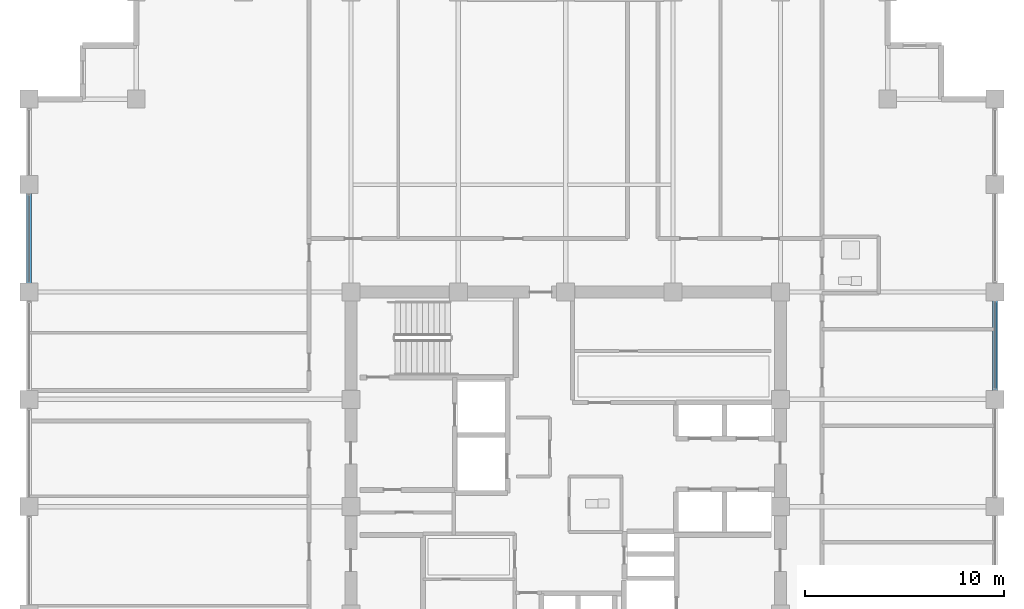
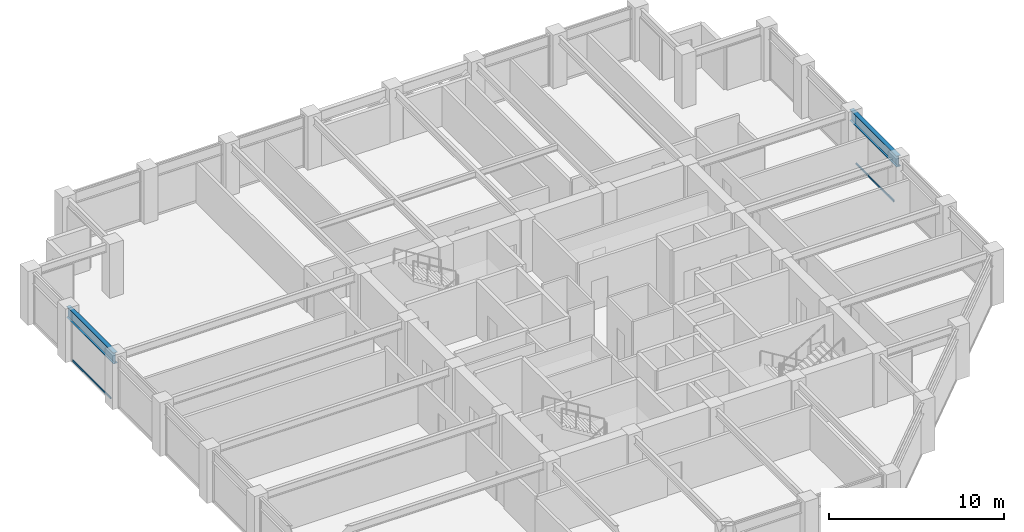
# One storey, part 15 of 32: 2 beams, 2 members, 2 elements without a shape of their own.
"""IFC4 building model written with IfcOpenShell, lengths in metres."""

from ifc_helpers import new_model, si_unit, direction, frame, origin, origin_2d, place, context, subcontext, project, spatial, hollow_rectangle, i_section, extrude, material, layer, layer_set, material_profile, profile_set, type_object, element, aggregate, save


model = new_model("IFC4")

# Units and contexts
model_context = context("Model", 3, precision=1e-05, world=origin(), true_north=direction((0.0, 1.0)))
body_context = subcontext(model_context, "Body", "Model", "MODEL_VIEW")
ifc_project = project(units=[si_unit("LENGTHUNIT", "METRE"), si_unit("AREAUNIT", "SQUARE_METRE"), si_unit("VOLUMEUNIT", "CUBIC_METRE"), si_unit("PLANEANGLEUNIT", "RADIAN"), si_unit("MASSUNIT", "GRAM", prefix="KILO")], contexts=[model_context])

# Site, building, storey
site_placement = place(None, origin())
site = spatial("IfcSite", under=ifc_project, at=site_placement, CompositionType="ELEMENT")
building_placement = place(site_placement, origin())
building = spatial("IfcBuilding", under=site, at=building_placement, Name="Surkhivell Harbour Commons", CompositionType="ELEMENT")
storey_placement = place(building_placement, frame((0.0, 0.0, 201.0)))
storey = spatial("IfcBuildingStorey", under=building, at=storey_placement, Name="L52", CompositionType="ELEMENT", Elevation=201.0)

# Beams
ifc_material_1 = material(Name="Steel S355", Category="steel")
ifc_material_profile_1 = material_profile(ifc_material_1, i_section(OverallWidth=0.26806640625, OverallDepth=0.77001953125, WebThickness=0.015625, FlangeThickness=0.025390625, at=origin_2d()), Name="UB762x267x197")
ifc_profile_set_1 = profile_set([ifc_material_profile_1], Name="Steel S355")
beam_type = type_object("IfcBeamType", Name="BM-SPN-762", PredefinedType="SPANDREL", material=ifc_profile_set_1)
beam_1_placement = place(storey_placement, frame((-27.0, 10.800048828125, 3.18505859375), z_axis=(0.0, 1.0, 0.0), x_axis=(-1.0, 0.0, 0.0)))
element("IfcBeam", 1, at=beam_1_placement, inside=storey, type_object=beam_type, Name="L52 Tube Spandrel (-27.0,10.8)", PredefinedType="SPANDREL", context=body_context, shape_type="SweptSolid", body=[
    extrude(i_section(OverallWidth=0.26806640625, OverallDepth=0.77001953125, WebThickness=0.015625, FlangeThickness=0.025390625, at=origin_2d()), origin(), (0.0, 0.0, 1.0), 5.39990234375),
])
beam_2_placement = place(storey_placement, frame((21.60009765625, 5.39990234375, 3.18505859375), z_axis=(0.0, 1.0, 0.0), x_axis=(-1.0, 0.0, 0.0)))
element("IfcBeam", 2, at=beam_2_placement, inside=storey, type_object=beam_type, Name="L52 Tube Spandrel (21.6,5.4)", PredefinedType="SPANDREL", context=body_context, shape_type="SweptSolid", body=[
    extrude(i_section(OverallWidth=0.26806640625, OverallDepth=0.77001953125, WebThickness=0.015625, FlangeThickness=0.025390625, at=origin_2d()), origin(), (0.0, 0.0, 1.0), 5.400146484375),
])

# Curtain wall, member
ifc_material_2 = material(Name="Anodised pale-metal aluminium and insulated glazing", Category="aluminium")
ifc_layer = layer(ifc_material_2, 0.18994140625)
ifc_layer_set = layer_set([ifc_layer], Name="Anodised pale-metal aluminium and insulated glazing")
curtain_wall_type = type_object("IfcCurtainWallType", Name="CW-SYS-Z3", PredefinedType="NOTDEFINED", material=ifc_layer_set)
curtain_wall_1_placement = place(storey_placement, origin())
curtain_wall_1 = element("IfcCurtainWall", 3, at=curtain_wall_1_placement, inside=storey, type_object=curtain_wall_type, Name="L52 Curtain Wall CW-L52-E02", PredefinedType="NOTDEFINED")
ifc_material_3 = material(Name="Champagne anodised aluminium alloy 6063-T6", Category="aluminium")
ifc_material_profile_2 = material_profile(ifc_material_3, hollow_rectangle(XDim=0.070068359375, YDim=0.1298828125, WallThickness=0.00341796875, at=origin_2d()), Name="ALU-TRAN-70x130")
ifc_profile_set_2 = profile_set([ifc_material_profile_2], Name="Champagne anodised aluminium alloy 6063-T6")
member_type = type_object("IfcMemberType", Name="CWT-130", PredefinedType="USERDEFINED", material=ifc_profile_set_2)
member_1_placement = place(storey_placement, frame((21.60009765625, 5.927001953125, 0.06494140625), z_axis=(0.0, 1.0, 0.0), x_axis=(-1.0, 0.0, 0.0)))
member_1 = element("IfcMember", 4, at=member_1_placement, type_object=member_type, Name="CW-Z3 transom 3.1", ObjectType="TRANSOM", PredefinedType="USERDEFINED", context=body_context, shape_type="SweptSolid", body=[
    extrude(hollow_rectangle(XDim=0.070068359375, YDim=0.1298828125, WallThickness=0.00341796875, at=origin_2d()), origin(), (0.0, 0.0, 1.0), 4.345947265625),
])
aggregate(curtain_wall_1, [member_1])

curtain_wall_2_placement = place(storey_placement, origin())
curtain_wall_2 = element("IfcCurtainWall", 5, at=curtain_wall_2_placement, inside=storey, type_object=curtain_wall_type, Name="L52 Curtain Wall CW-L52-E12S1", PredefinedType="NOTDEFINED")
member_2_placement = place(storey_placement, frame((-27.0, 15.673095703125, 0.06494140625), z_axis=(0.0, -1.0, 0.0), x_axis=(1.0, 0.0, 0.0)))
member_2 = element("IfcMember", 6, at=member_2_placement, type_object=member_type, Name="CW-Z3 transom 2.1", ObjectType="TRANSOM", PredefinedType="USERDEFINED", context=body_context, shape_type="SweptSolid", body=[
    extrude(hollow_rectangle(XDim=0.070068359375, YDim=0.1298828125, WallThickness=0.00341796875, at=origin_2d()), origin(), (0.0, 0.0, 1.0), 4.34619140625),
])
aggregate(curtain_wall_2, [member_2])

save(model, "model.ifc")
